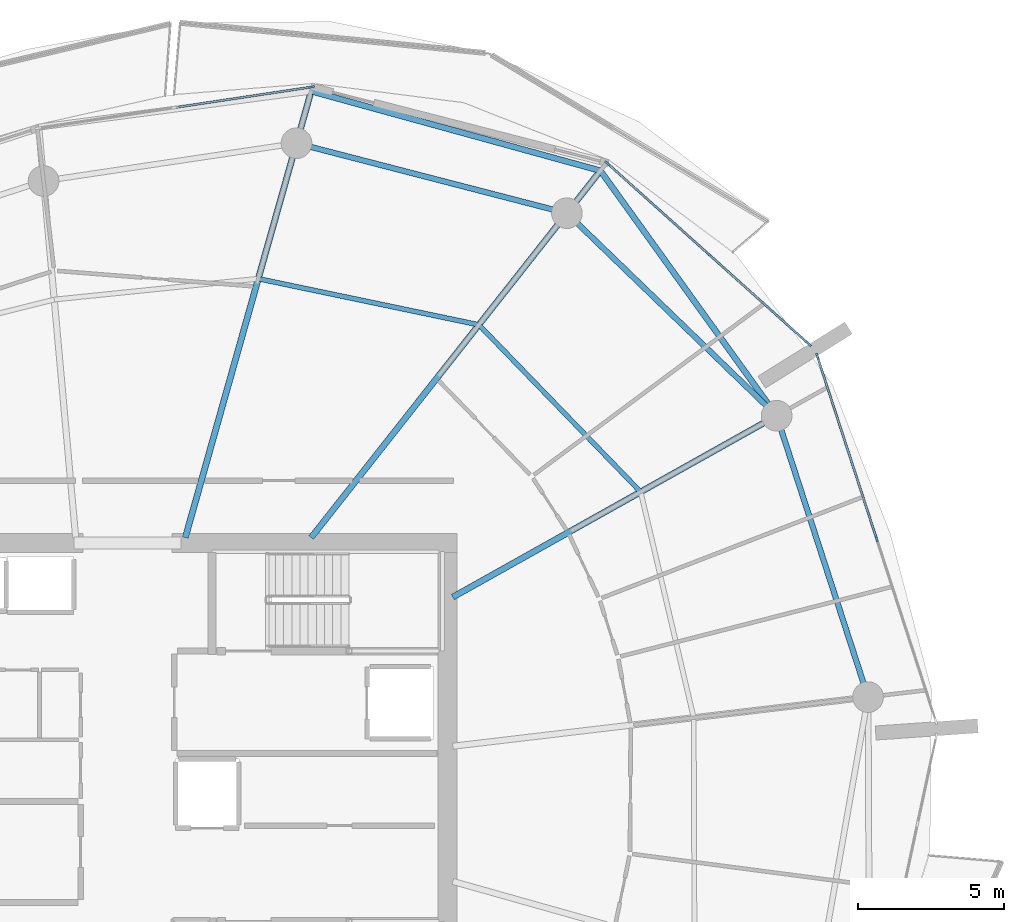
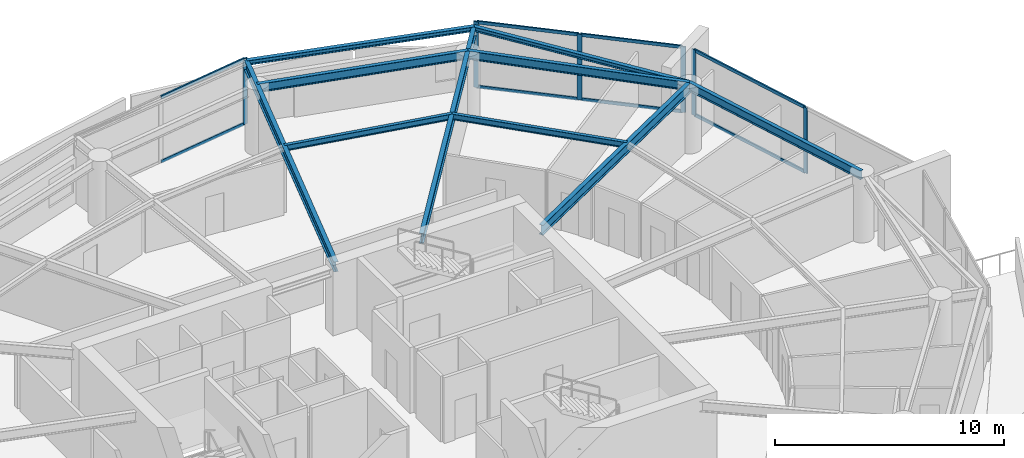
# One storey, part 9 of 20: 14 members, 10 beams, 3 elements without a shape of their own.
"""IFC4 building model written with IfcOpenShell, lengths in metres."""

from ifc_helpers import new_model, si_unit, direction, frame, origin, origin_2d, place, context, subcontext, project, spatial, rectangle, i_section, extrude, material, layer, layer_set, material_profile, profile_set, type_object, element, aggregate, save


model = new_model("IFC4")

# Units and contexts
model_context = context("Model", 3, precision=1e-05, world=origin(), true_north=direction((0.0, 1.0)))
body_context = subcontext(model_context, "Body", "Model", "MODEL_VIEW")
ifc_project = project(units=[si_unit("LENGTHUNIT", "METRE"), si_unit("AREAUNIT", "SQUARE_METRE"), si_unit("VOLUMEUNIT", "CUBIC_METRE"), si_unit("PLANEANGLEUNIT", "RADIAN"), si_unit("MASSUNIT", "GRAM", prefix="KILO")], contexts=[model_context])

# Site, building, storey
site_placement = place(None, origin())
site = spatial("IfcSite", under=ifc_project, at=site_placement, CompositionType="ELEMENT")
building_placement = place(site_placement, origin())
building = spatial("IfcBuilding", under=site, at=building_placement, Name="Kazma Halo Residences", CompositionType="ELEMENT")
storey_placement = place(building_placement, frame((0.0, 0.0, 214.050048828125)))
storey = spatial("IfcBuildingStorey", under=building, at=storey_placement, Name="L54", CompositionType="ELEMENT", Elevation=214.050048828125)

# Beams
ifc_material_1 = material(Name="Steel S355", Category="steel")
ifc_material_profile_1 = material_profile(ifc_material_1, i_section(OverallWidth=0.201904296875, OverallDepth=0.2470703125, WebThickness=0.00732421875, FlangeThickness=0.010986328125, FilletRadius=0.011962890625, at=origin_2d()), Name="W250x49.1")
ifc_profile_set_1 = profile_set([ifc_material_profile_1], Name="Steel S355")
beam_type_1 = type_object("IfcBeamType", Name="BM-BAL-CANT", PredefinedType="BEAM", material=ifc_profile_set_1)
beam_1_placement = place(storey_placement, frame((70.625, 54.670654296875, 3.37646484375), z_axis=(-0.583963922576, 0.811779611181, 0.0), x_axis=(-0.811779611181, -0.583963922576, 0.0)))
element("IfcBeam", 1, at=beam_1_placement, inside=storey, type_object=beam_type_1, Name="L54 wave-balcony lead tie beam 01", PredefinedType="BEAM", context=body_context, shape_type="SweptSolid", body=[
    extrude(i_section(OverallWidth=0.201904296875, OverallDepth=0.2470703125, WebThickness=0.00732421875, FlangeThickness=0.010986328125, FilletRadius=0.011962890625, at=origin_2d()), origin(), (0.0, 0.0, 1.0), 10.324462890625),
])
beam_2_placement = place(storey_placement, frame((64.595947265625, 63.0517578125, 3.37646484375), z_axis=(-0.964197026197, 0.265186905169, 0.0), x_axis=(-0.265186905169, -0.964197026197, 0.0)))
element("IfcBeam", 2, at=beam_2_placement, inside=storey, type_object=beam_type_1, Name="L54 wave-balcony tie beam 02", PredefinedType="BEAM", context=body_context, shape_type="SweptSolid", body=[
    extrude(i_section(OverallWidth=0.201904296875, OverallDepth=0.2470703125, WebThickness=0.00732421875, FlangeThickness=0.010986328125, FilletRadius=0.011962890625, at=origin_2d()), origin(), (0.0, 0.0, 1.0), 10.258544921875),
])
ifc_material_profile_2 = material_profile(ifc_material_1, i_section(OverallWidth=0.208984375, OverallDepth=0.532958984375, WebThickness=0.01025390625, FlangeThickness=0.015625, FilletRadius=0.01611328125, at=origin_2d()), Name="W530x92")
ifc_profile_set_2 = profile_set([ifc_material_profile_2], Name="Steel S355")
beam_type_2 = type_object("IfcBeamType", Name="BM-RAD-W530", PredefinedType="BEAM", material=ifc_profile_set_2)
beam_3_placement = place(storey_placement, frame((59.550048828125, 48.46826171875, 3.2333984375), z_axis=(0.872491912539, 0.488628552742, 0.0), x_axis=(-0.488628552742, 0.872491912539, 0.0)))
element("IfcBeam", 3, at=beam_3_placement, inside=storey, type_object=beam_type_2, Name="L54 radial floor beam 01", PredefinedType="BEAM", context=body_context, shape_type="SweptSolid", body=[
    extrude(i_section(OverallWidth=0.208984375, OverallDepth=0.532958984375, WebThickness=0.01025390625, FlangeThickness=0.015625, FilletRadius=0.01611328125, at=origin_2d()), origin(), (0.0, 0.0, 1.0), 12.693359375),
])
beam_4_placement = place(storey_placement, frame((54.700927734375, 50.5, 3.2333984375), z_axis=(0.61909439419, 0.785316580165, 0.0), x_axis=(-0.785316580165, 0.61909439419, 0.0)))
element("IfcBeam", 4, at=beam_4_placement, inside=storey, type_object=beam_type_2, Name="L54 radial floor beam 02", PredefinedType="BEAM", context=body_context, shape_type="SweptSolid", body=[
    extrude(i_section(OverallWidth=0.208984375, OverallDepth=0.532958984375, WebThickness=0.01025390625, FlangeThickness=0.015625, FilletRadius=0.01611328125, at=origin_2d()), origin(), (0.0, 0.0, 1.0), 15.983154296875),
])
beam_5_placement = place(storey_placement, frame((50.397216796875, 50.5, 3.2333984375), z_axis=(0.271449932859, 0.962452561922, 0.0), x_axis=(-0.962452561922, 0.271449932859, 0.0)))
element("IfcBeam", 5, at=beam_5_placement, inside=storey, type_object=beam_type_2, Name="L54 radial floor beam 03", PredefinedType="BEAM", context=body_context, shape_type="SweptSolid", body=[
    extrude(i_section(OverallWidth=0.208984375, OverallDepth=0.532958984375, WebThickness=0.01025390625, FlangeThickness=0.015625, FilletRadius=0.01611328125, at=origin_2d()), origin(), (0.0, 0.0, 1.0), 15.867919921875),
])
ifc_material_profile_3 = material_profile(ifc_material_1, i_section(OverallWidth=0.1650390625, OverallDepth=0.31005859375, WebThickness=0.005859375, FlangeThickness=0.009765625, FilletRadius=0.011962890625, at=origin_2d()), Name="W310x38.7")
ifc_profile_set_3 = profile_set([ifc_material_profile_3], Name="Steel S355")
beam_type_3 = type_object("IfcBeamType", Name="BM-SEC-W310B", PredefinedType="JOIST", material=ifc_profile_set_3)
beam_6_placement = place(storey_placement, frame((65.9736328125, 52.065673828125, 3.344970703125), z_axis=(-0.695659633946, 0.718371542934, 0.0), x_axis=(-0.718371542934, -0.695659633946, 0.0)))
element("IfcBeam", 6, at=beam_6_placement, inside=storey, type_object=beam_type_3, Name="L54 circumferential floor joist 01", PredefinedType="JOIST", context=body_context, shape_type="SweptSolid", body=[
    extrude(i_section(OverallWidth=0.1650390625, OverallDepth=0.31005859375, WebThickness=0.005859375, FlangeThickness=0.009765625, FilletRadius=0.011962890625, at=origin_2d()), origin(), (0.0, 0.0, 1.0), 7.95458984375),
])
beam_7_placement = place(storey_placement, frame((60.43994140625, 57.780029296875, 3.344970703125), z_axis=(-0.978821484976, 0.204715657802, 0.0), x_axis=(-0.204715657802, -0.978821484976, 0.0)))
element("IfcBeam", 7, at=beam_7_placement, inside=storey, type_object=beam_type_3, Name="L54 circumferential floor joist 02", PredefinedType="JOIST", context=body_context, shape_type="SweptSolid", body=[
    extrude(i_section(OverallWidth=0.1650390625, OverallDepth=0.31005859375, WebThickness=0.005859375, FlangeThickness=0.009765625, FilletRadius=0.011962890625, at=origin_2d()), origin(), (0.0, 0.0, 1.0), 7.707763671875),
])
ifc_material_profile_4 = material_profile(ifc_material_1, i_section(OverallWidth=0.18994140625, OverallDepth=0.45703125, WebThickness=0.009033203125, FlangeThickness=0.014404296875, FilletRadius=0.01611328125, at=origin_2d()), Name="W460x74")
ifc_profile_set_4 = profile_set([ifc_material_profile_4], Name="Steel S355")
beam_type_4 = type_object("IfcBeamType", Name="BM-SPN-W460", PredefinedType="BEAM", material=ifc_profile_set_4)
beam_8_placement = place(storey_placement, frame((70.625, 54.670654296875, 3.271484375), z_axis=(-0.71933650181, 0.694661786169, 0.0), x_axis=(-0.694661786169, -0.71933650181, 0.0)))
element("IfcBeam", 8, at=beam_8_placement, inside=storey, type_object=beam_type_4, Name="L54 perimeter ring beam 01", PredefinedType="BEAM", context=body_context, shape_type="SweptSolid", body=[
    extrude(i_section(OverallWidth=0.18994140625, OverallDepth=0.45703125, WebThickness=0.009033203125, FlangeThickness=0.014404296875, FilletRadius=0.01611328125, at=origin_2d()), origin(), (0.0, 0.0, 1.0), 9.9736328125),
])
beam_9_placement = place(storey_placement, frame((63.45068359375, 61.598876953125, 3.271484375), z_axis=(-0.968120950739, 0.25048318255, 0.0), x_axis=(-0.25048318255, -0.968120950739, 0.0)))
element("IfcBeam", 9, at=beam_9_placement, inside=storey, type_object=beam_type_4, Name="L54 perimeter ring beam 02", PredefinedType="BEAM", context=body_context, shape_type="SweptSolid", body=[
    extrude(i_section(OverallWidth=0.18994140625, OverallDepth=0.45703125, WebThickness=0.009033203125, FlangeThickness=0.014404296875, FilletRadius=0.01611328125, at=origin_2d()), origin(), (0.0, 0.0, 1.0), 9.552734375),
])
beam_10_placement = place(storey_placement, frame((73.751708984375, 45.0478515625, 3.271484375), z_axis=(-0.309023327426, 0.951054458539, 0.0), x_axis=(-0.951054458539, -0.309023327426, 0.0)))
element("IfcBeam", 10, at=beam_10_placement, inside=storey, type_object=beam_type_4, Name="L54 perimeter ring beam 16", PredefinedType="BEAM", context=body_context, shape_type="SweptSolid", body=[
    extrude(i_section(OverallWidth=0.18994140625, OverallDepth=0.45703125, WebThickness=0.009033203125, FlangeThickness=0.014404296875, FilletRadius=0.01611328125, at=origin_2d()), origin(), (0.0, 0.0, 1.0), 10.117919921875),
])

# Curtain wall, members
ifc_material_2 = material(Name="Aluminium AW-6063 T6 and Triple-Silver Low-E Glass", Category="aluminium")
ifc_layer = layer(ifc_material_2, 0.219970703125)
ifc_layer_set = layer_set([ifc_layer], Name="Aluminium AW-6063 T6 and Triple-Silver Low-E Glass")
curtain_wall_type = type_object("IfcCurtainWallType", Name="CW-SYS-4", PredefinedType="NOTDEFINED", material=ifc_layer_set)
curtain_wall_1_placement = place(storey_placement, origin())
curtain_wall_1 = element("IfcCurtainWall", 11, at=curtain_wall_1_placement, inside=storey, type_object=curtain_wall_type, Name="L54 unitised curtain wall B01", PredefinedType="NOTDEFINED")
ifc_material_3 = material(Name="Aluminium AW-6063 T6", Category="aluminium")
ifc_material_profile_5 = material_profile(ifc_material_3, rectangle(XDim=0.074951171875, YDim=0.219970703125, at=origin_2d()), Name="CWM-75x220")
ifc_profile_set_5 = profile_set([ifc_material_profile_5], Name="Aluminium AW-6063 T6")
member_type_1 = type_object("IfcMemberType", Name="CW-SYS-4-MUL", PredefinedType="MULLION", material=ifc_profile_set_5)
member_1_placement = place(storey_placement, frame((71.7216796875, 57.126220703125, 0.0), z_axis=(0.0, 0.0, 1.0), x_axis=(-0.667784328806, -0.744354814723, 0.0)))
member_1 = element("IfcMember", 12, at=member_1_placement, type_object=member_type_1, Name="CWS-4 mullion 1", PredefinedType="MULLION", context=body_context, shape_type="SweptSolid", body=[
    extrude(rectangle(XDim=0.074951171875, YDim=0.219970703125, at=origin_2d()), origin(), (0.0, 0.0, 1.0), 3.5),
])
member_2_placement = place(storey_placement, frame((68.280517578125, 60.213134765625, 0.0), z_axis=(0.0, 0.0, 1.0), x_axis=(-0.667784328806, -0.744354814723, 0.0)))
member_2 = element("IfcMember", 13, at=member_2_placement, type_object=member_type_1, Name="CWS-4 mullion 2", PredefinedType="MULLION", context=body_context, shape_type="SweptSolid", body=[
    extrude(rectangle(XDim=0.074951171875, YDim=0.219970703125, at=origin_2d()), origin(), (0.0, 0.0, 1.0), 3.5),
])
member_3_placement = place(storey_placement, frame((64.839599609375, 63.30029296875, 0.0), z_axis=(0.0, 0.0, 1.0), x_axis=(-0.667784328806, -0.744354814723, 0.0)))
member_3 = element("IfcMember", 14, at=member_3_placement, type_object=member_type_1, Name="CWS-4 mullion 3", PredefinedType="MULLION", context=body_context, shape_type="SweptSolid", body=[
    extrude(rectangle(XDim=0.074951171875, YDim=0.219970703125, at=origin_2d()), origin(), (0.0, 0.0, 1.0), 3.5),
])

# Curtain wall, member
curtain_wall_2_placement = place(storey_placement, origin())
curtain_wall_2 = element("IfcCurtainWall", 15, at=curtain_wall_2_placement, inside=storey, type_object=curtain_wall_type, Name="L54 unitised curtain wall B03", PredefinedType="NOTDEFINED")
member_4_placement = place(storey_placement, frame((54.708740234375, 65.913330078125, 0.0), z_axis=(0.0, 0.0, 1.0), x_axis=(0.148772639188, -0.988871428361, 0.0)))
member_4 = element("IfcMember", 16, at=member_4_placement, type_object=member_type_1, Name="CWS-4 mullion 1", PredefinedType="MULLION", context=body_context, shape_type="SweptSolid", body=[
    extrude(rectangle(XDim=0.074951171875, YDim=0.219970703125, at=origin_2d()), origin(), (0.0, 0.0, 1.0), 3.5),
])

# Curtain wall, members
curtain_wall_3_placement = place(storey_placement, origin())
curtain_wall_3 = element("IfcCurtainWall", 17, at=curtain_wall_3_placement, inside=storey, type_object=curtain_wall_type, Name="L54 unitised curtain wall B16", PredefinedType="NOTDEFINED")
member_5_placement = place(storey_placement, frame((74.04345703125, 50.4619140625, 0.0), z_axis=(0.0, 0.0, 1.0), x_axis=(-0.951056893636, -0.309015833038, 0.0)))
member_5 = element("IfcMember", 18, at=member_5_placement, type_object=member_type_1, Name="CWS-4 mullion 2", PredefinedType="MULLION", context=body_context, shape_type="SweptSolid", body=[
    extrude(rectangle(XDim=0.074951171875, YDim=0.219970703125, at=origin_2d()), origin(), (0.0, 0.0, 1.0), 3.5),
])
member_6_placement = place(storey_placement, frame((72.015625, 56.702880859375, 0.0), z_axis=(0.0, 0.0, 1.0), x_axis=(-0.951056893636, -0.309015833038, 0.0)))
member_6 = element("IfcMember", 19, at=member_6_placement, type_object=member_type_1, Name="CWS-4 mullion 3", PredefinedType="MULLION", context=body_context, shape_type="SweptSolid", body=[
    extrude(rectangle(XDim=0.074951171875, YDim=0.219970703125, at=origin_2d()), origin(), (0.0, 0.0, 1.0), 3.5),
])

# Member
ifc_material_profile_6 = material_profile(ifc_material_3, rectangle(XDim=0.074951171875, YDim=0.1650390625, at=origin_2d()), Name="CWT-75x165")
ifc_profile_set_6 = profile_set([ifc_material_profile_6], Name="Aluminium AW-6063 T6")
member_type_2 = type_object("IfcMemberType", Name="CW-SYS-4-TRN", PredefinedType="USERDEFINED", material=ifc_profile_set_6)
member_7_placement = place(storey_placement, frame((71.69384765625, 57.151123046875, 0.037353515625), z_axis=(-0.744344906673, 0.667795372783, 0.0), x_axis=(-0.667795372783, -0.744344906673, 0.0)))
member_7 = element("IfcMember", 20, at=member_7_placement, type_object=member_type_2, Name="CWS-4 transom 1.1", ObjectType="TRANSOM", PredefinedType="USERDEFINED", context=body_context, shape_type="SweptSolid", body=[
    extrude(rectangle(XDim=0.074951171875, YDim=0.1650390625, at=origin_2d()), origin(), (0.0, 0.0, 1.0), 4.5478515625),
])

member_8_placement = place(storey_placement, frame((71.69384765625, 57.151123046875, 3.46240234375), z_axis=(-0.744344906673, 0.667795372783, 0.0), x_axis=(-0.667795372783, -0.744344906673, 0.0)))
member_8 = element("IfcMember", 21, at=member_8_placement, type_object=member_type_2, Name="CWS-4 transom 1.2", ObjectType="TRANSOM", PredefinedType="USERDEFINED", context=body_context, shape_type="SweptSolid", body=[
    extrude(rectangle(XDim=0.074951171875, YDim=0.1650390625, at=origin_2d()), origin(), (0.0, 0.0, 1.0), 4.5478515625),
])

member_9_placement = place(storey_placement, frame((68.252685546875, 60.23828125, 0.037353515625), z_axis=(-0.744344906673, 0.667795372783, 0.0), x_axis=(-0.667795372783, -0.744344906673, 0.0)))
member_9 = element("IfcMember", 22, at=member_9_placement, type_object=member_type_2, Name="CWS-4 transom 2.1", ObjectType="TRANSOM", PredefinedType="USERDEFINED", context=body_context, shape_type="SweptSolid", body=[
    extrude(rectangle(XDim=0.074951171875, YDim=0.1650390625, at=origin_2d()), origin(), (0.0, 0.0, 1.0), 4.5478515625),
])

member_10_placement = place(storey_placement, frame((68.252685546875, 60.23828125, 3.46240234375), z_axis=(-0.744344906673, 0.667795372783, 0.0), x_axis=(-0.667795372783, -0.744344906673, 0.0)))
member_10 = element("IfcMember", 23, at=member_10_placement, type_object=member_type_2, Name="CWS-4 transom 2.2", ObjectType="TRANSOM", PredefinedType="USERDEFINED", context=body_context, shape_type="SweptSolid", body=[
    extrude(rectangle(XDim=0.074951171875, YDim=0.1650390625, at=origin_2d()), origin(), (0.0, 0.0, 1.0), 4.5478515625),
])

aggregate(curtain_wall_1, [member_1, member_2, member_3, member_7, member_8, member_9, member_10])

member_11_placement = place(storey_placement, frame((54.671630859375, 65.907958984375, 0.037353515625), z_axis=(-0.988867623216, -0.148797929272, 0.0), x_axis=(0.148797929272, -0.988867623216, 0.0)))
member_11 = element("IfcMember", 24, at=member_11_placement, type_object=member_type_2, Name="CWS-4 transom 1.1", ObjectType="TRANSOM", PredefinedType="USERDEFINED", context=body_context, shape_type="SweptSolid", body=[
    extrude(rectangle(XDim=0.074951171875, YDim=0.1650390625, at=origin_2d()), origin(), (0.0, 0.0, 1.0), 4.64501953125),
])

member_12_placement = place(storey_placement, frame((54.671630859375, 65.907958984375, 3.46240234375), z_axis=(-0.988867623216, -0.148797929272, 0.0), x_axis=(0.148797929272, -0.988867623216, 0.0)))
member_12 = element("IfcMember", 25, at=member_12_placement, type_object=member_type_2, Name="CWS-4 transom 1.2", ObjectType="TRANSOM", PredefinedType="USERDEFINED", context=body_context, shape_type="SweptSolid", body=[
    extrude(rectangle(XDim=0.074951171875, YDim=0.1650390625, at=origin_2d()), origin(), (0.0, 0.0, 1.0), 4.64501953125),
])

aggregate(curtain_wall_2, [member_4, member_11, member_12])

member_13_placement = place(storey_placement, frame((74.031982421875, 50.49755859375, 0.037353515625), z_axis=(-0.309015440644, 0.951057021132, 0.0), x_axis=(-0.951057021132, -0.309015440644, 0.0)))
member_13 = element("IfcMember", 26, at=member_13_placement, type_object=member_type_2, Name="CWS-4 transom 2.1", ObjectType="TRANSOM", PredefinedType="USERDEFINED", context=body_context, shape_type="SweptSolid", body=[
    extrude(rectangle(XDim=0.074951171875, YDim=0.1650390625, at=origin_2d()), origin(), (0.0, 0.0, 1.0), 6.487060546875),
])

member_14_placement = place(storey_placement, frame((74.031982421875, 50.49755859375, 3.46240234375), z_axis=(-0.309015440644, 0.951057021132, 0.0), x_axis=(-0.951057021132, -0.309015440644, 0.0)))
member_14 = element("IfcMember", 27, at=member_14_placement, type_object=member_type_2, Name="CWS-4 transom 2.2", ObjectType="TRANSOM", PredefinedType="USERDEFINED", context=body_context, shape_type="SweptSolid", body=[
    extrude(rectangle(XDim=0.074951171875, YDim=0.1650390625, at=origin_2d()), origin(), (0.0, 0.0, 1.0), 6.487060546875),
])

aggregate(curtain_wall_3, [member_5, member_6, member_13, member_14])

save(model, "model.ifc")
